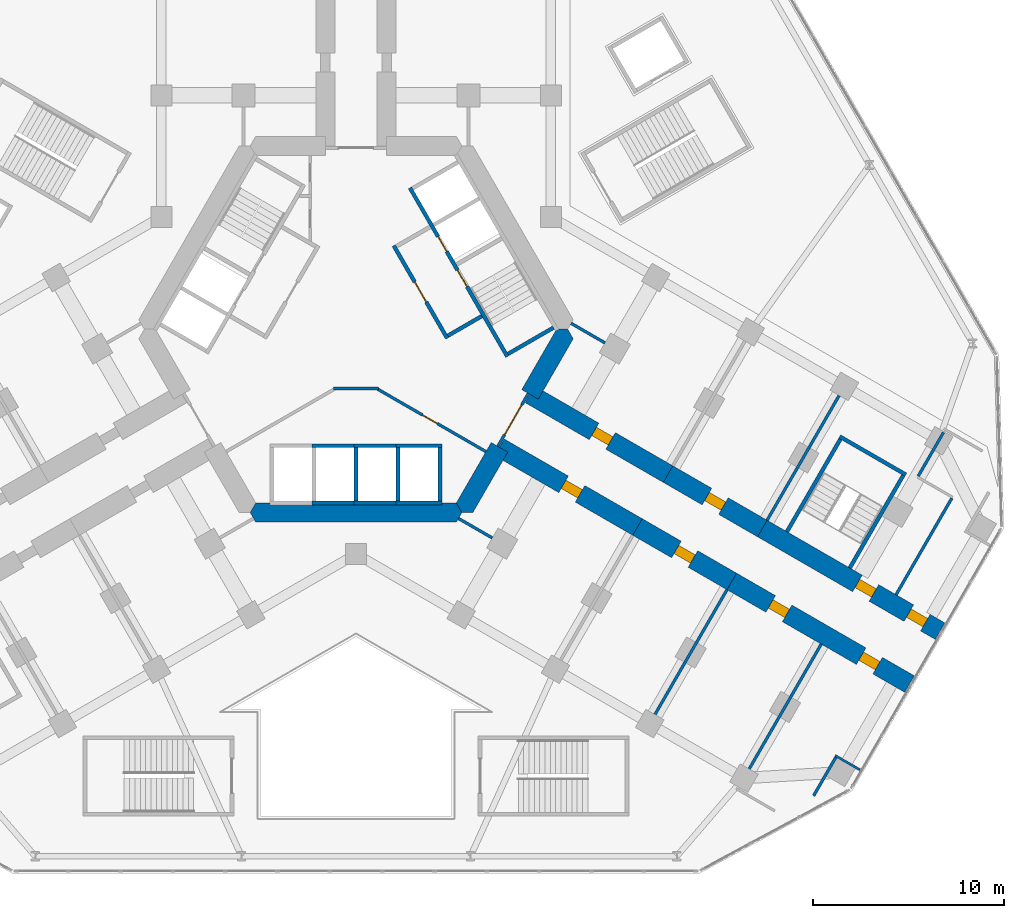
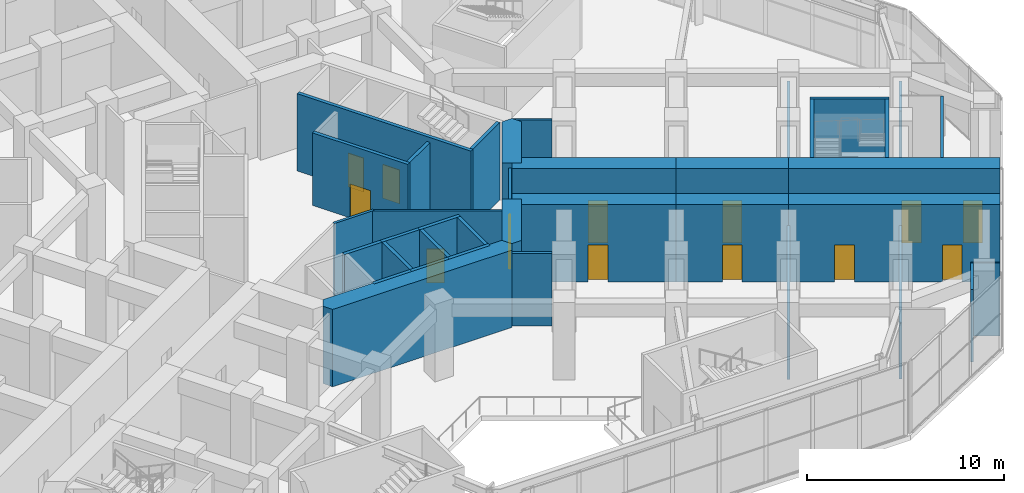
# One storey, part 16 of 21: 37 walls, 13 doors, 13 openings.
"""IFC4 building model written with IfcOpenShell, lengths in metres."""

from ifc_helpers import new_model, si_unit, direction, frame, frame_2d, origin, place, context, subcontext, project, spatial, polyline, rectangle, outline, extrude, material, layer, layer_set, type_object, element, fill, save


model = new_model("IFC4")

# Units and contexts
model_context = context("Model", 3, precision=1e-05, world=origin(), true_north=direction((0.0, 1.0)))
body_context = subcontext(model_context, "Body", "Model", "MODEL_VIEW")
ifc_project = project(units=[si_unit("LENGTHUNIT", "METRE"), si_unit("AREAUNIT", "SQUARE_METRE"), si_unit("VOLUMEUNIT", "CUBIC_METRE"), si_unit("PLANEANGLEUNIT", "RADIAN"), si_unit("MASSUNIT", "GRAM", prefix="KILO")], contexts=[model_context])

# Site, building, storey
site_placement = place(None, origin())
site = spatial("IfcSite", under=ifc_project, at=site_placement, CompositionType="ELEMENT")
building_placement = place(site_placement, origin())
building = spatial("IfcBuilding", under=site, at=building_placement, Name="Kosmar Iwan School Tower", CompositionType="ELEMENT")
storey_placement = place(building_placement, frame((0.0, 0.0, 6.0)))
storey = spatial("IfcBuildingStorey", under=building, at=storey_placement, Name="L01", CompositionType="ELEMENT", Elevation=6.0)

# Wall
ifc_material_1 = material(Name="Gypsum board on steel studs, fire-rated", Category="steel")
ifc_layer_1 = layer(ifc_material_1, 0.14990234375)
ifc_layer_set_1 = layer_set([ifc_layer_1], Name="Core room partition 150")
wall_type_1 = type_object("IfcWallType", Name="Core room partition 150", PredefinedType="PARTITIONING", material=ifc_layer_set_1)
wall_1_placement = place(storey_placement, frame((-1.16748046875, -3.113525390625, 0.0), z_axis=(0.0, 0.0, 1.0), x_axis=(1.0, 0.0, 0.0)))
element("IfcWall", 1, at=wall_1_placement, inside=storey, type_object=wall_type_1, Name="Core room partition L01-CW5", PredefinedType="PARTITIONING", context=body_context, shape_type="SweptSolid", body=[
    extrude(rectangle(XDim=2.3349609375, YDim=0.14990234375, at=frame_2d((1.16748046875, 0.0))), origin(), (0.0, 0.0, 1.0), 4.5),
])

# Wall, opening, door
wall_2_placement = place(storey_placement, frame((1.027587890625, -3.075927734375, 0.0), z_axis=(0.0, 0.0, 1.0), x_axis=(0.866030697632, -0.499990830675, 0.0)))
wall_2 = element("IfcWall", 2, at=wall_2_placement, inside=storey, type_object=wall_type_1, Name="Core room partition L01-CW6", PredefinedType="PARTITIONING", context=body_context, shape_type="SweptSolid", body=[
    extrude(rectangle(XDim=6.667236328125, YDim=0.14990234375, at=frame_2d((3.33349609375, 0.0))), origin(), (0.0, 0.0, 1.0), 4.5),
])
opening_1_placement = place(wall_2_placement, frame((2.843994140625, 0.0, 0.0)))
opening_1 = element("IfcOpeningElement", 3, at=opening_1_placement, cuts=wall_2, Name="Opening D14", PredefinedType="OPENING", context=body_context, shape_type="SweptSolid", body=[
    extrude(rectangle(XDim=0.89990234375, YDim=2.10009765625, at=frame_2d((0.449951171875, 1.050048828125))), frame((0.0, 0.0869140625, 0.0), z_axis=(0.0, -1.0, 0.0), x_axis=(1.0, 0.0, 0.0)), (0.0, 0.0, 1.0), 0.173828125),
])
ifc_material_2 = material(Name="Timber fire door in steel frame", Category="steel")
door_type_1 = type_object("IfcDoorType", Name="Core room door 900x2100", OperationType="SINGLE_SWING_LEFT", PredefinedType="DOOR", material=ifc_material_2)
door_1_placement = place(opening_1_placement, origin())
door_1 = element("IfcDoor", 4, at=door_1_placement, inside=storey, type_object=door_type_1, Name="School store door L01 3", OperationType="SINGLE_SWING_LEFT", OverallHeight=2.10009765625, OverallWidth=0.89990234375, PredefinedType="DOOR", context=body_context, shape_type="SweptSolid", body=[
    extrude(rectangle(XDim=0.89990234375, YDim=2.10009765625, at=frame_2d((0.449951171875, 1.050048828125))), frame((0.0, 0.02490234375, 0.0), z_axis=(0.0, -1.0, 0.0), x_axis=(1.0, 0.0, 0.0)), (0.0, 0.0, 1.0), 0.050048828125),
])
fill(opening_1, door_1)

# Walls
ifc_material_3 = material(Name="Concrete C50/60", Category="concrete")
ifc_layer_2 = layer(ifc_material_3, 1.0)
ifc_layer_set_2 = layer_set([ifc_layer_2], Name="Core wall 1000")
wall_type_2 = type_object("IfcWallType", Name="Core wall 1000", PredefinedType="SHEAR", material=ifc_layer_set_2)
wall_3_placement = place(storey_placement, origin())
element("IfcWall", 5, at=wall_3_placement, inside=storey, type_object=wall_type_2, Name="Core wall F270", PredefinedType="SHEAR", context=body_context, shape_type="SweptSolid", body=[
    extrude(outline(polyline([(-5.25390625, -10.10009765625), (5.25390625, -10.10009765625), (5.54248046875, -9.60009765625), (5.25390625, -9.10009765625), (-5.25390625, -9.10009765625), (-5.54248046875, -9.60009765625), (-5.25390625, -10.10009765625)])), origin(), (0.0, 0.0, 1.0), 4.800048828125),
])
wall_4_placement = place(storey_placement, origin())
element("IfcWall", 6, at=wall_4_placement, inside=storey, type_object=wall_type_2, Name="Core wall F330a", PredefinedType="SHEAR", context=body_context, shape_type="SweptSolid", body=[
    extrude(outline(polyline([(5.54248046875, -9.60009765625), (6.119873046875, -9.60009765625), (7.94677734375, -6.435546875), (7.080810546875, -5.935546875), (5.25390625, -9.10009765625), (5.54248046875, -9.60009765625)])), origin(), (0.0, 0.0, 1.0), 4.800048828125),
])
wall_5_placement = place(storey_placement, origin())
element("IfcWall", 7, at=wall_5_placement, inside=storey, type_object=wall_type_2, Name="Core wall F330b", PredefinedType="SHEAR", context=body_context, shape_type="SweptSolid", body=[
    extrude(outline(polyline([(9.546875, -3.664306640625), (11.373779296875, -0.5), (11.085205078125, 0.0), (10.5078125, 0.0), (8.680908203125, -3.164306640625), (9.546875, -3.664306640625)])), origin(), (0.0, 0.0, 1.0), 4.800048828125),
])

# Wall, opening, door
ifc_material_4 = material(Name="Concrete C50/60", Category="concrete")
ifc_layer_3 = layer(ifc_material_4, 1.0)
ifc_layer_set_3 = layer_set([ifc_layer_3], Name="Corridor buttress wall 1000")
wall_type_3 = type_object("IfcWallType", Name="Corridor buttress wall 1000", PredefinedType="SHEAR", material=ifc_layer_set_3)
wall_6_placement = place(storey_placement, frame((9.11376953125, -3.414306640625, 0.0), z_axis=(0.0, 0.0, 1.0), x_axis=(0.866026859388, -0.499997478812, 0.0)))
wall_6 = element("IfcWall", 8, at=wall_6_placement, inside=storey, type_object=wall_type_3, Name="Corridor wall CL", PredefinedType="SHEAR", context=body_context, shape_type="SweptSolid", body=[
    extrude(rectangle(XDim=8.35009765625, YDim=1.0, at=frame_2d((4.175048828125, 0.0))), origin(), (0.0, 0.0, 1.0), 4.800048828125),
])
opening_2_placement = place(wall_6_placement, frame((3.875, 0.0, 0.0)))
opening_2 = element("IfcOpeningElement", 9, at=opening_2_placement, cuts=wall_6, Name="Opening D4", PredefinedType="OPENING", context=body_context, shape_type="SweptSolid", body=[
    extrude(rectangle(XDim=1.0, YDim=2.300048828125, at=frame_2d((0.5, 1.14990234375))), frame((0.0, 0.511962890625, 0.0), z_axis=(0.0, -1.0, 0.0), x_axis=(1.0, 0.0, 0.0)), (0.0, 0.0, 1.0), 1.02392578125),
])
ifc_material_5 = material(Name="Timber fire door with vision panel", Category="wood")
door_type_2 = type_object("IfcDoorType", Name="Classroom door 1000x2300", OperationType="SINGLE_SWING_LEFT", PredefinedType="DOOR", material=ifc_material_5)
door_2_placement = place(opening_2_placement, origin())
door_2 = element("IfcDoor", 10, at=door_2_placement, inside=storey, type_object=door_type_2, Name="Kindergarten group room CL1 door L01-CL1", OperationType="SINGLE_SWING_RIGHT", OverallHeight=2.300048828125, OverallWidth=1.0, PredefinedType="DOOR", context=body_context, shape_type="SweptSolid", body=[
    extrude(rectangle(XDim=1.0, YDim=2.300048828125, at=frame_2d((0.5, 1.14990234375))), frame((0.0, 0.25, 0.0), z_axis=(0.0, -1.0, 0.0), x_axis=(1.0, 0.0, 0.0)), (0.0, 0.0, 1.0), 0.5),
])
fill(opening_2, door_2)

wall_7_placement = place(storey_placement, frame((16.34521484375, -7.58935546875, 0.0), z_axis=(0.0, 0.0, 1.0), x_axis=(0.866015111908, -0.50001782563, 0.0)))
wall_7 = element("IfcWall", 11, at=wall_7_placement, inside=storey, type_object=wall_type_3, Name="Corridor wall CL bay 2", PredefinedType="SHEAR", context=body_context, shape_type="SweptSolid", body=[
    extrude(rectangle(XDim=5.699951171875, YDim=1.0, at=frame_2d((2.85009765625, 0.0))), origin(), (0.0, 0.0, 1.0), 4.800048828125),
])
opening_3_placement = place(wall_7_placement, frame((2.35009765625, 0.0, 0.0)))
opening_3 = element("IfcOpeningElement", 12, at=opening_3_placement, cuts=wall_7, Name="Opening D4", PredefinedType="OPENING", context=body_context, shape_type="SweptSolid", body=[
    extrude(rectangle(XDim=1.0, YDim=2.300048828125, at=frame_2d((0.5, 1.14990234375))), frame((0.0, 0.511962890625, 0.0), z_axis=(0.0, -1.0, 0.0), x_axis=(1.0, 0.0, 0.0)), (0.0, 0.0, 1.0), 1.02392578125),
])
door_3_placement = place(opening_3_placement, origin())
door_3 = element("IfcDoor", 13, at=door_3_placement, inside=storey, type_object=door_type_2, Name="Kindergarten group room CL2 door L01-CL2", OperationType="SINGLE_SWING_LEFT", OverallHeight=2.300048828125, OverallWidth=1.0, PredefinedType="DOOR", context=body_context, shape_type="SweptSolid", body=[
    extrude(rectangle(XDim=1.0, YDim=2.300048828125, at=frame_2d((0.5, 1.14990234375))), frame((0.0, 0.25, 0.0), z_axis=(0.0, -1.0, 0.0), x_axis=(1.0, 0.0, 0.0)), (0.0, 0.0, 1.0), 0.5),
])
fill(opening_3, door_3)

# Wall, openings, doors
wall_8_placement = place(storey_placement, frame((21.281494140625, -10.439453125, 0.0), z_axis=(0.0, 0.0, 1.0), x_axis=(0.866032345022, -0.499987977232, 0.0)))
wall_8 = element("IfcWall", 14, at=wall_8_placement, inside=storey, type_object=wall_type_3, Name="Corridor wall CL bay 3", PredefinedType="SHEAR", context=body_context, shape_type="SweptSolid", body=[
    extrude(rectangle(XDim=10.744873046875, YDim=1.0, at=frame_2d((5.37255859375, 0.0))), origin(), (0.0, 0.0, 1.0), 4.800048828125),
])
opening_4_placement = place(wall_8_placement, frame((5.75, 0.0, 0.0)))
opening_4 = element("IfcOpeningElement", 15, at=opening_4_placement, cuts=wall_8, Name="Opening D4", PredefinedType="OPENING", context=body_context, shape_type="SweptSolid", body=[
    extrude(rectangle(XDim=1.0, YDim=2.300048828125, at=frame_2d((0.5, 1.14990234375))), frame((0.0, 0.511962890625, 0.0), z_axis=(0.0, -1.0, 0.0), x_axis=(1.0, 0.0, 0.0)), (0.0, 0.0, 1.0), 1.02392578125),
])
opening_5_placement = place(wall_8_placement, frame((8.860107421875, 0.0, 0.0)))
opening_5 = element("IfcOpeningElement", 16, at=opening_5_placement, cuts=wall_8, Name="Opening D4", PredefinedType="OPENING", context=body_context, shape_type="SweptSolid", body=[
    extrude(rectangle(XDim=1.0, YDim=2.300048828125, at=frame_2d((0.5, 1.14990234375))), frame((0.0, 0.511962890625, 0.0), z_axis=(0.0, -1.0, 0.0), x_axis=(1.0, 0.0, 0.0)), (0.0, 0.0, 1.0), 1.02392578125),
])
door_4_placement = place(opening_4_placement, origin())
door_4 = element("IfcDoor", 17, at=door_4_placement, inside=storey, type_object=door_type_2, Name="Kindergarten group room CL3 door L01-CL3", OperationType="SINGLE_SWING_LEFT", OverallHeight=2.300048828125, OverallWidth=1.0, PredefinedType="DOOR", context=body_context, shape_type="SweptSolid", body=[
    extrude(rectangle(XDim=1.0, YDim=2.300048828125, at=frame_2d((0.5, 1.14990234375))), frame((0.0, 0.25, 0.0), z_axis=(0.0, -1.0, 0.0), x_axis=(1.0, 0.0, 0.0)), (0.0, 0.0, 1.0), 0.5),
])
fill(opening_4, door_4)
door_5_placement = place(opening_5_placement, origin())
door_5 = element("IfcDoor", 18, at=door_5_placement, inside=storey, type_object=door_type_2, Name="Toilets door L01-CL4", OperationType="SINGLE_SWING_RIGHT", OverallHeight=2.300048828125, OverallWidth=1.0, PredefinedType="DOOR", context=body_context, shape_type="SweptSolid", body=[
    extrude(rectangle(XDim=1.0, YDim=2.300048828125, at=frame_2d((0.5, 1.14990234375))), frame((0.0, 0.25, 0.0), z_axis=(0.0, -1.0, 0.0), x_axis=(1.0, 0.0, 0.0)), (0.0, 0.0, 1.0), 0.5),
])
fill(opening_5, door_5)

# Wall, opening, door
wall_9_placement = place(storey_placement, frame((7.513916015625, -6.185546875, 0.0), z_axis=(0.0, 0.0, 1.0), x_axis=(0.866019549707, -0.500010139422, 0.0)))
wall_9 = element("IfcWall", 19, at=wall_9_placement, inside=storey, type_object=wall_type_3, Name="Corridor wall CR", PredefinedType="SHEAR", context=body_context, shape_type="SweptSolid", body=[
    extrude(rectangle(XDim=8.349853515625, YDim=1.0, at=frame_2d((4.1748046875, 0.0))), origin(), (0.0, 0.0, 1.0), 4.800048828125),
])
opening_6_placement = place(wall_9_placement, frame((3.875, 0.0, 0.0)))
opening_6 = element("IfcOpeningElement", 20, at=opening_6_placement, cuts=wall_9, Name="Opening D4", PredefinedType="OPENING", context=body_context, shape_type="SweptSolid", body=[
    extrude(rectangle(XDim=1.0, YDim=2.300048828125, at=frame_2d((0.5, 1.14990234375))), frame((0.0, 0.511962890625, 0.0), z_axis=(0.0, -1.0, 0.0), x_axis=(1.0, 0.0, 0.0)), (0.0, 0.0, 1.0), 1.02392578125),
])
door_6_placement = place(opening_6_placement, origin())
door_6 = element("IfcDoor", 21, at=door_6_placement, inside=storey, type_object=door_type_2, Name="Kindergarten group room CR1 door L01-CR1", OperationType="SINGLE_SWING_RIGHT", OverallHeight=2.300048828125, OverallWidth=1.0, PredefinedType="DOOR", context=body_context, shape_type="SweptSolid", body=[
    extrude(rectangle(XDim=1.0, YDim=2.300048828125, at=frame_2d((0.5, 1.14990234375))), frame((0.0, 0.25, 0.0), z_axis=(0.0, -1.0, 0.0), x_axis=(1.0, 0.0, 0.0)), (0.0, 0.0, 1.0), 0.5),
])
fill(opening_6, door_6)

wall_10_placement = place(storey_placement, frame((14.7451171875, -10.360595703125, 0.0), z_axis=(0.0, 0.0, 1.0), x_axis=(0.866015111908, -0.50001782563, 0.0)))
wall_10 = element("IfcWall", 22, at=wall_10_placement, inside=storey, type_object=wall_type_3, Name="Corridor wall CR bay 2", PredefinedType="SHEAR", context=body_context, shape_type="SweptSolid", body=[
    extrude(rectangle(XDim=5.699951171875, YDim=1.0, at=frame_2d((2.85009765625, 0.0))), origin(), (0.0, 0.0, 1.0), 4.800048828125),
])
opening_7_placement = place(wall_10_placement, frame((2.35009765625, 0.0, 0.0)))
opening_7 = element("IfcOpeningElement", 23, at=opening_7_placement, cuts=wall_10, Name="Opening D4", PredefinedType="OPENING", context=body_context, shape_type="SweptSolid", body=[
    extrude(rectangle(XDim=1.0, YDim=2.300048828125, at=frame_2d((0.5, 1.14990234375))), frame((0.0, 0.511962890625, 0.0), z_axis=(0.0, -1.0, 0.0), x_axis=(1.0, 0.0, 0.0)), (0.0, 0.0, 1.0), 1.02392578125),
])
door_7_placement = place(opening_7_placement, origin())
door_7 = element("IfcDoor", 24, at=door_7_placement, inside=storey, type_object=door_type_2, Name="Kindergarten group room CR2 door L01-CR2", OperationType="SINGLE_SWING_RIGHT", OverallHeight=2.300048828125, OverallWidth=1.0, PredefinedType="DOOR", context=body_context, shape_type="SweptSolid", body=[
    extrude(rectangle(XDim=1.0, YDim=2.300048828125, at=frame_2d((0.5, 1.14990234375))), frame((0.0, 0.25, 0.0), z_axis=(0.0, -1.0, 0.0), x_axis=(1.0, 0.0, 0.0)), (0.0, 0.0, 1.0), 0.5),
])
fill(opening_7, door_7)

# Wall, openings, doors
wall_11_placement = place(storey_placement, frame((19.681396484375, -13.210693359375, 0.0), z_axis=(0.0, 0.0, 1.0), x_axis=(0.866028186671, -0.499995179869, 0.0)))
wall_11 = element("IfcWall", 25, at=wall_11_placement, inside=storey, type_object=wall_type_3, Name="Corridor wall CR bay 3", PredefinedType="SHEAR", context=body_context, shape_type="SweptSolid", body=[
    extrude(rectangle(XDim=10.7451171875, YDim=1.0, at=frame_2d((5.37255859375, 0.0))), origin(), (0.0, 0.0, 1.0), 4.800048828125),
])
opening_8_placement = place(wall_11_placement, frame((2.35009765625, 0.0, 0.0)))
opening_8 = element("IfcOpeningElement", 26, at=opening_8_placement, cuts=wall_11, Name="Opening D4", PredefinedType="OPENING", context=body_context, shape_type="SweptSolid", body=[
    extrude(rectangle(XDim=1.0, YDim=2.300048828125, at=frame_2d((0.5, 1.14990234375))), frame((0.0, 0.511962890625, 0.0), z_axis=(0.0, -1.0, 0.0), x_axis=(1.0, 0.0, 0.0)), (0.0, 0.0, 1.0), 1.02392578125),
])
opening_9_placement = place(wall_11_placement, frame((7.824951171875, 0.0, 0.0)))
opening_9 = element("IfcOpeningElement", 27, at=opening_9_placement, cuts=wall_11, Name="Opening D4", PredefinedType="OPENING", context=body_context, shape_type="SweptSolid", body=[
    extrude(rectangle(XDim=1.0, YDim=2.300048828125, at=frame_2d((0.5, 1.14990234375))), frame((0.0, 0.511962890625, 0.0), z_axis=(0.0, -1.0, 0.0), x_axis=(1.0, 0.0, 0.0)), (0.0, 0.0, 1.0), 1.02392578125),
])
door_8_placement = place(opening_8_placement, origin())
door_8 = element("IfcDoor", 28, at=door_8_placement, inside=storey, type_object=door_type_2, Name="Kindergarten group room CR3 door L01-CR3", OperationType="SINGLE_SWING_LEFT", OverallHeight=2.300048828125, OverallWidth=1.0, PredefinedType="DOOR", context=body_context, shape_type="SweptSolid", body=[
    extrude(rectangle(XDim=1.0, YDim=2.300048828125, at=frame_2d((0.5, 1.14990234375))), frame((0.0, 0.25, 0.0), z_axis=(0.0, -1.0, 0.0), x_axis=(1.0, 0.0, 0.0)), (0.0, 0.0, 1.0), 0.5),
])
fill(opening_8, door_8)
door_9_placement = place(opening_9_placement, origin())
door_9 = element("IfcDoor", 29, at=door_9_placement, inside=storey, type_object=door_type_2, Name="Toilets door L01-CR4", OperationType="SINGLE_SWING_RIGHT", OverallHeight=2.300048828125, OverallWidth=1.0, PredefinedType="DOOR", context=body_context, shape_type="SweptSolid", body=[
    extrude(rectangle(XDim=1.0, YDim=2.300048828125, at=frame_2d((0.5, 1.14990234375))), frame((0.0, 0.25, 0.0), z_axis=(0.0, -1.0, 0.0), x_axis=(1.0, 0.0, 0.0)), (0.0, 0.0, 1.0), 0.5),
])
fill(opening_9, door_9)

# Wall, opening, door
ifc_material_6 = material(Name="Steel framed glazed screen", Category="steel")
ifc_layer_4 = layer(ifc_material_6, 0.14990234375)
ifc_layer_set_4 = layer_set([ifc_layer_4], Name="Corridor screen wall 150")
wall_type_4 = type_object("IfcWallType", Name="Corridor screen wall 150", PredefinedType="PARTITIONING", material=ifc_layer_set_4)
wall_12_placement = place(storey_placement, frame((7.42724609375, -6.1357421875, 0.0), z_axis=(0.0, 0.0, 1.0), x_axis=(0.499995408039, 0.866028054938, 0.0)))
wall_12 = element("IfcWall", 30, at=wall_12_placement, inside=storey, type_object=wall_type_4, Name="Corridor screen C L01", PredefinedType="PARTITIONING", context=body_context, shape_type="SweptSolid", body=[
    extrude(rectangle(XDim=3.2001953125, YDim=0.14990234375, at=frame_2d((1.60009765625, 0.0))), origin(), (0.0, 0.0, 1.0), 4.5),
])
opening_10_placement = place(wall_12_placement, frame((0.699951171875, 0.0, 0.0)))
opening_10 = element("IfcOpeningElement", 31, at=opening_10_placement, cuts=wall_12, Name="Opening D9", PredefinedType="OPENING", context=body_context, shape_type="SweptSolid", body=[
    extrude(rectangle(XDim=1.800048828125, YDim=2.10009765625, at=frame_2d((0.89990234375, 1.050048828125))), frame((0.0, 0.0869140625, 0.0), z_axis=(0.0, -1.0, 0.0), x_axis=(1.0, 0.0, 0.0)), (0.0, 0.0, 1.0), 0.173828125),
])
ifc_material_7 = material(Name="Steel framed glazed smoke door", Category="steel")
door_type_3 = type_object("IfcDoorType", Name="Corridor smoke door pair 1800x2100", OperationType="DOUBLE_DOOR_DOUBLE_SWING", PredefinedType="DOOR", material=ifc_material_7)
door_10_placement = place(opening_10_placement, origin())
door_10 = element("IfcDoor", 32, at=door_10_placement, inside=storey, type_object=door_type_3, Name="Corridor doors C L01", OperationType="DOUBLE_DOOR_DOUBLE_SWING", OverallHeight=2.10009765625, OverallWidth=1.800048828125, PredefinedType="DOOR", context=body_context, shape_type="SweptSolid", body=[
    extrude(rectangle(XDim=1.800048828125, YDim=2.10009765625, at=frame_2d((0.89990234375, 1.050048828125))), frame((0.0, 0.02490234375, 0.0), z_axis=(0.0, -1.0, 0.0), x_axis=(1.0, 0.0, 0.0)), (0.0, 0.0, 1.0), 0.050048828125),
])
fill(opening_10, door_10)

# Walls
ifc_material_8 = material(Name="Gypsum board on steel studs", Category="steel")
ifc_layer_5 = layer(ifc_material_8, 0.1201171875)
ifc_layer_set_5 = layer_set([ifc_layer_5], Name="Dwelling partition 120")
wall_type_5 = type_object("IfcWallType", Name="Dwelling partition 120", PredefinedType="PARTITIONING", material=ifc_layer_set_5)
wall_13_placement = place(storey_placement, frame((25.09716796875, -22.330322265625, 0.0), z_axis=(0.0, 0.0, 1.0), x_axis=(0.866003374288, -0.500038154266, 0.0)))
element("IfcWall", 33, at=wall_13_placement, inside=storey, type_object=wall_type_5, Name="Partition L01-CR-DL", PredefinedType="PARTITIONING", context=body_context, shape_type="SweptSolid", body=[
    extrude(rectangle(XDim=1.4951171875, YDim=0.1201171875, at=frame_2d((0.74755859375, 0.0))), origin(), (0.0, 0.0, 1.0), 4.5),
])
ifc_material_9 = material(Name="Concrete C35/45", Category="concrete")
ifc_layer_6 = layer(ifc_material_9, 0.199951171875)
ifc_layer_set_6 = layer_set([ifc_layer_6], Name="Escape stair wall 200")
wall_type_6 = type_object("IfcWallType", Name="Escape stair wall 200", PredefinedType="SHEAR", material=ifc_layer_set_6)
for number, where, z_axis, x_axis, name in (
    (34, (22.57080078125, -10.6064453125, 0.0), (0.0, 0.0, 1.0), (0.499987231761, 0.866032775405, 0.0), "Stair WS3 wall"),
    (35, (25.861572265625, -12.50634765625, 0.0), (0.0, 0.0, 1.0), (0.500018801468, 0.86601454848, 0.0), "Stair WS3 wall"),
):
    element("IfcWall", number, at=place(storey_placement, frame(where, z_axis=z_axis, x_axis=x_axis)), inside=storey, type_object=wall_type_6, Name=name, PredefinedType="SHEAR", context=body_context, shape_type="SweptSolid", body=[
        extrude(rectangle(XDim=5.800048828125, YDim=0.199951171875, at=frame_2d((2.89990234375, 0.0))), origin(), (0.0, 0.0, 1.0), 4.47998046875),
    ])
wall_14_placement = place(storey_placement, frame((25.334228515625, -5.6201171875, 0.0), z_axis=(0.0, 0.0, 1.0), x_axis=(0.866026010844, -0.49999894854, 0.0)))
element("IfcWall", 36, at=wall_14_placement, inside=storey, type_object=wall_type_6, Name="Stair WS3 wall", PredefinedType="SHEAR", context=body_context, shape_type="SweptSolid", body=[
    extrude(rectangle(XDim=4.0, YDim=0.199951171875, at=frame_2d((2.0, 0.0))), origin(), (0.0, 0.0, 1.0), 4.47998046875),
])

# Wall, opening, door
ifc_material_10 = material(Name="Concrete block masonry", Category="masonry")
ifc_layer_7 = layer(ifc_material_10, 0.199951171875)
ifc_layer_set_7 = layer_set([ifc_layer_7], Name="Fire lobby wall 200")
wall_type_7 = type_object("IfcWallType", Name="Fire lobby wall 200", PredefinedType="PARTITIONING", material=ifc_layer_set_7)
wall_15_placement = place(storey_placement, frame((4.777587890625, -0.474853515625, 0.0), z_axis=(0.0, 0.0, 1.0), x_axis=(-0.500016814911, 0.866015695474, 0.0)))
wall_15 = element("IfcWall", 37, at=wall_15_placement, inside=storey, type_object=wall_type_7, Name="Firefighting lobby wall ST1", PredefinedType="PARTITIONING", context=body_context, shape_type="SweptSolid", body=[
    extrude(rectangle(XDim=5.599853515625, YDim=0.199951171875, at=frame_2d((2.7998046875, 0.0))), origin(), (0.0, 0.0, 1.0), 4.5),
])
opening_11_placement = place(wall_15_placement, frame((2.199951171875, 0.0, 0.0)))
opening_11 = element("IfcOpeningElement", 38, at=opening_11_placement, cuts=wall_15, Name="Opening D7", PredefinedType="OPENING", context=body_context, shape_type="SweptSolid", body=[
    extrude(rectangle(XDim=1.199951171875, YDim=2.10009765625, at=frame_2d((0.60009765625, 1.050048828125))), frame((0.0, 0.112060546875, 0.0), z_axis=(0.0, -1.0, 0.0), x_axis=(1.0, 0.0, 0.0)), (0.0, 0.0, 1.0), 0.223876953125),
])
ifc_material_11 = material(Name="Steel fire door", Category="steel")
door_type_4 = type_object("IfcDoorType", Name="Fire lobby door 1200x2100", OperationType="SINGLE_SWING_LEFT", PredefinedType="DOOR", material=ifc_material_11)
door_11_placement = place(opening_11_placement, origin())
door_11 = element("IfcDoor", 39, at=door_11_placement, inside=storey, type_object=door_type_4, Name="Firefighting lobby door ST1 L01", OperationType="SINGLE_SWING_LEFT", OverallHeight=2.10009765625, OverallWidth=1.199951171875, PredefinedType="DOOR", context=body_context, shape_type="SweptSolid", body=[
    extrude(rectangle(XDim=1.199951171875, YDim=2.10009765625, at=frame_2d((0.60009765625, 1.050048828125))), frame((0.0, 0.02490234375, 0.0), z_axis=(0.0, -1.0, 0.0), x_axis=(1.0, 0.0, 0.0)), (0.0, 0.0, 1.0), 0.050048828125),
])
fill(opening_11, door_11)

# Wall
wall_16_placement = place(storey_placement, frame((4.814208984375, -0.33837890625, 0.0), z_axis=(0.0, 0.0, 1.0), x_axis=(0.865969381856, 0.500097020274, 0.0)))
element("IfcWall", 40, at=wall_16_placement, inside=storey, type_object=wall_type_7, Name="Firefighting lobby wall ST1", PredefinedType="PARTITIONING", context=body_context, shape_type="SweptSolid", body=[
    extrude(rectangle(XDim=2.0498046875, YDim=0.199951171875, at=frame_2d((1.02490234375, 0.0))), origin(), (0.0, 0.0, 1.0), 4.5),
])

# Wall, openings, doors
ifc_material_12 = material(Name="Concrete C50/60", Category="concrete")
ifc_layer_8 = layer(ifc_material_12, 0.199951171875)
ifc_layer_set_8 = layer_set([ifc_layer_8], Name="Lift shaft wall 200")
wall_type_8 = type_object("IfcWallType", Name="Lift shaft wall 200", PredefinedType="SHEAR", material=ifc_layer_set_8)
wall_17_placement = place(storey_placement, frame((7.926025390625, -1.42822265625, 0.0), z_axis=(0.0, 0.0, 1.0), x_axis=(-0.499998023675, 0.866026544813, 0.0)))
wall_17 = element("IfcWall", 41, at=wall_17_placement, inside=storey, type_object=wall_type_8, Name="Lift and stair front wall AC", PredefinedType="SHEAR", context=body_context, shape_type="SweptSolid", body=[
    extrude(rectangle(XDim=10.19970703125, YDim=0.199951171875, at=frame_2d((5.099853515625, 0.0))), origin(), (0.0, 0.0, 1.0), 4.800048828125),
])
opening_12_placement = place(wall_17_placement, frame((6.35009765625, 0.0, 0.0)))
opening_12 = element("IfcOpeningElement", 42, at=opening_12_placement, cuts=wall_17, Name="Opening LD2", PredefinedType="OPENING", context=body_context, shape_type="SweptSolid", body=[
    extrude(rectangle(XDim=0.89990234375, YDim=2.10009765625, at=frame_2d((0.449951171875, 1.050048828125))), frame((0.0, 0.112060546875, 0.0), z_axis=(0.0, -1.0, 0.0), x_axis=(1.0, 0.0, 0.0)), (0.0, 0.0, 1.0), 0.223876953125),
])
opening_13_placement = place(wall_17_placement, frame((4.22998046875, 0.0, 0.0)))
opening_13 = element("IfcOpeningElement", 43, at=opening_13_placement, cuts=wall_17, Name="Opening D6", PredefinedType="OPENING", context=body_context, shape_type="SweptSolid", body=[
    extrude(rectangle(XDim=1.0, YDim=2.10009765625, at=frame_2d((0.5, 1.050048828125))), frame((0.0, 0.112060546875, 0.0), z_axis=(0.0, -1.0, 0.0), x_axis=(1.0, 0.0, 0.0)), (0.0, 0.0, 1.0), 0.223876953125),
])
ifc_material_13 = material(Name="Stainless steel sliding lift door", Category="steel")
door_type_5 = type_object("IfcDoorType", Name="Firefighting lift landing door 900x2100", OperationType="SLIDING_TO_LEFT", PredefinedType="DOOR", material=ifc_material_13)
door_12_placement = place(opening_12_placement, origin())
door_12 = element("IfcDoor", 44, at=door_12_placement, inside=storey, type_object=door_type_5, Name="Lift FF1 landing door L01", OperationType="SLIDING_TO_LEFT", OverallHeight=2.10009765625, OverallWidth=0.89990234375, PredefinedType="DOOR", context=body_context, shape_type="SweptSolid", body=[
    extrude(rectangle(XDim=0.89990234375, YDim=2.10009765625, at=frame_2d((0.449951171875, 1.050048828125))), frame((0.0, 0.02490234375, 0.0), z_axis=(0.0, -1.0, 0.0), x_axis=(1.0, 0.0, 0.0)), (0.0, 0.0, 1.0), 0.050048828125),
])
fill(opening_12, door_12)
ifc_material_14 = material(Name="Steel fire door", Category="steel")
door_type_6 = type_object("IfcDoorType", Name="Stair door 1000x2100", OperationType="SINGLE_SWING_LEFT", PredefinedType="DOOR", material=ifc_material_14)
door_13_placement = place(opening_13_placement, origin())
door_13 = element("IfcDoor", 45, at=door_13_placement, inside=storey, type_object=door_type_6, Name="Stair ST1 door L01", OperationType="SINGLE_SWING_LEFT", OverallHeight=2.10009765625, OverallWidth=1.0, PredefinedType="DOOR", context=body_context, shape_type="SweptSolid", body=[
    extrude(rectangle(XDim=1.0, YDim=2.10009765625, at=frame_2d((0.5, 1.050048828125))), frame((0.0, 0.02490234375, 0.0), z_axis=(0.0, -1.0, 0.0), x_axis=(1.0, 0.0, 0.0)), (0.0, 0.0, 1.0), 0.050048828125),
])
fill(opening_13, door_13)

# Walls
for number, where, z_axis, x_axis, name in (
    (46, (-2.300048828125, -6.10009765625, 0.0), (0.0, 0.0, 1.0), (1.0, 0.0, 0.0), "Lift and stair front wall BC"),
    (47, (-2.300048828125, -9.10009765625, 0.0), (0.0, 0.0, 1.0), (1.0, 0.0, 0.0), "Lift and stair back wall BC"),
):
    element("IfcWall", number, at=place(storey_placement, frame(where, z_axis=z_axis, x_axis=x_axis)), inside=storey, type_object=wall_type_8, Name=name, PredefinedType="SHEAR", context=body_context, shape_type="SweptSolid", body=[
        extrude(rectangle(XDim=2.199951171875, YDim=0.199951171875, at=frame_2d((1.10009765625, 0.0))), origin(), (0.0, 0.0, 1.0), 4.800048828125),
    ])
for number, where, z_axis, x_axis, name in (
    (48, (-0.10009765625, -6.10009765625, 0.0), (0.0, 0.0, 1.0), (1.0, 0.0, 0.0), "Lift and stair front wall BC"),
    (49, (-0.10009765625, -9.10009765625, 0.0), (0.0, 0.0, 1.0), (1.0, 0.0, 0.0), "Lift and stair back wall BC"),
):
    element("IfcWall", number, at=place(storey_placement, frame(where, z_axis=z_axis, x_axis=x_axis)), inside=storey, type_object=wall_type_8, Name=name, PredefinedType="SHEAR", context=body_context, shape_type="SweptSolid", body=[
        extrude(rectangle(XDim=2.2001953125, YDim=0.199951171875, at=frame_2d((1.10009765625, 0.0))), origin(), (0.0, 0.0, 1.0), 4.800048828125),
    ])
for number, where, z_axis, x_axis, name in (
    (50, (2.10009765625, -6.10009765625, 0.0), (0.0, 0.0, 1.0), (1.0, 0.0, 0.0), "Lift and stair front wall BC"),
    (51, (2.10009765625, -9.10009765625, 0.0), (0.0, 0.0, 1.0), (1.0, 0.0, 0.0), "Lift and stair back wall BC"),
):
    element("IfcWall", number, at=place(storey_placement, frame(where, z_axis=z_axis, x_axis=x_axis)), inside=storey, type_object=wall_type_8, Name=name, PredefinedType="SHEAR", context=body_context, shape_type="SweptSolid", body=[
        extrude(rectangle(XDim=2.39990234375, YDim=0.199951171875, at=frame_2d((1.199951171875, 0.0))), origin(), (0.0, 0.0, 1.0), 4.800048828125),
    ])
for number, where, z_axis, x_axis, name in (
    (52, (0.0, -6.199951171875, 0.0), (0.0, 0.0, 1.0), (0.0, -1.0, 0.0), "Lift shaft wall BC 2"),
    (53, (2.199951171875, -6.199951171875, 0.0), (0.0, 0.0, 1.0), (0.0, -1.0, 0.0), "Lift shaft wall BC 3"),
    (54, (4.39990234375, -6.199951171875, 0.0), (0.0, 0.0, 1.0), (0.0, -1.0, 0.0), "Lift shaft wall BC 4"),
):
    element("IfcWall", number, at=place(storey_placement, frame(where, z_axis=z_axis, x_axis=x_axis)), inside=storey, type_object=wall_type_8, Name=name, PredefinedType="SHEAR", context=body_context, shape_type="SweptSolid", body=[
        extrude(rectangle(XDim=2.800048828125, YDim=0.199951171875, at=frame_2d((1.39990234375, 0.0))), origin(), (0.0, 0.0, 1.0), 4.800048828125),
    ])
ifc_material_15 = material(Name="Gypsum board on steel studs", Category="steel")
ifc_layer_9 = layer(ifc_material_15, 0.14990234375)
ifc_layer_set_9 = layer_set([ifc_layer_9], Name="School partition 150")
wall_type_9 = type_object("IfcWallType", Name="School partition 150", PredefinedType="PARTITIONING", material=ifc_layer_set_9)
wall_18_placement = place(storey_placement, frame((11.263916015625, 0.3095703125, 0.0), z_axis=(0.0, 0.0, 1.0), x_axis=(0.865999163574, -0.500045446624, 0.0)))
element("IfcWall", 55, at=wall_18_placement, inside=storey, type_object=wall_type_9, Name="Partition L01-CL-NB", PredefinedType="PARTITIONING", context=body_context, shape_type="SweptSolid", body=[
    extrude(rectangle(XDim=2.050048828125, YDim=0.14990234375, at=frame_2d((1.02490234375, 0.0))), origin(), (0.0, 0.0, 1.0), 4.5),
])
wall_19_placement = place(storey_placement, frame((21.531494140625, -10.00634765625, 0.0), z_axis=(0.0, 0.0, 1.0), x_axis=(0.500007509209, 0.866021068297, 0.0)))
element("IfcWall", 56, at=wall_19_placement, inside=storey, type_object=wall_type_9, Name="Partition L01-CL-X2", PredefinedType="PARTITIONING", context=body_context, shape_type="SweptSolid", body=[
    extrude(rectangle(XDim=8.599853515625, YDim=0.14990234375, at=frame_2d((4.2998046875, 0.0))), origin(), (0.0, 0.0, 1.0), 3.5),
])
wall_20_placement = place(storey_placement, frame((29.44775390625, -7.69482421875, 0.0), z_axis=(0.0, 0.0, 1.0), x_axis=(0.500007957085, 0.86602080971, 0.0)))
element("IfcWall", 57, at=wall_20_placement, inside=storey, type_object=wall_type_9, Name="Partition L01-CL-X3", PredefinedType="PARTITIONING", context=body_context, shape_type="SweptSolid", body=[
    extrude(rectangle(XDim=2.64013671875, YDim=0.14990234375, at=frame_2d((1.320068359375, 0.0))), origin(), (0.0, 0.0, 1.0), 3.5),
])
wall_21_placement = place(storey_placement, frame((28.286376953125, -13.90625, 0.0), z_axis=(0.0, 0.0, 1.0), x_axis=(0.500019182438, 0.866014328516, 0.0)))
element("IfcWall", 58, at=wall_21_placement, inside=storey, type_object=wall_type_9, Name="Partition L01-CL-X3T", PredefinedType="PARTITIONING", context=body_context, shape_type="SweptSolid", body=[
    extrude(rectangle(XDim=5.840087890625, YDim=0.14990234375, at=frame_2d((2.919921875, 0.0))), origin(), (0.0, 0.0, 1.0), 4.5),
])
wall_22_placement = place(storey_placement, frame((5.36376953125, -9.909423828125, 0.0), z_axis=(0.0, 0.0, 1.0), x_axis=(0.865999163574, -0.500045446624, 0.0)))
element("IfcWall", 59, at=wall_22_placement, inside=storey, type_object=wall_type_9, Name="Partition L01-CR-NB", PredefinedType="PARTITIONING", context=body_context, shape_type="SweptSolid", body=[
    extrude(rectangle(XDim=2.050048828125, YDim=0.14990234375, at=frame_2d((1.02490234375, 0.0))), origin(), (0.0, 0.0, 1.0), 4.5),
])
wall_23_placement = place(storey_placement, frame((25.192138671875, -22.31591796875, 0.0), z_axis=(0.0, 0.0, 1.0), x_axis=(-0.499973122483, -0.86604092097, 0.0)))
element("IfcWall", 60, at=wall_23_placement, inside=storey, type_object=wall_type_9, Name="Partition L01-CR-DC", PredefinedType="PARTITIONING", context=body_context, shape_type="SweptSolid", body=[
    extrude(rectangle(XDim=2.445068359375, YDim=0.14990234375, at=frame_2d((1.22265625, 0.0))), origin(), (0.0, 0.0, 1.0), 4.5),
])
wall_24_placement = place(storey_placement, frame((19.431396484375, -13.6435546875, 0.0), z_axis=(0.0, 0.0, 1.0), x_axis=(-0.499973925258, -0.86604045752, 0.0)))
element("IfcWall", 61, at=wall_24_placement, inside=storey, type_object=wall_type_9, Name="Partition L01-CR-X2", PredefinedType="PARTITIONING", context=body_context, shape_type="SweptSolid", body=[
    extrude(rectangle(XDim=8.60009765625, YDim=0.14990234375, at=frame_2d((4.300048828125, 0.0))), origin(), (0.0, 0.0, 1.0), 3.5),
])
wall_25_placement = place(storey_placement, frame((24.367919921875, -16.49365234375, 0.0), z_axis=(0.0, 0.0, 1.0), x_axis=(-0.500007509209, -0.866021068297, 0.0)))
element("IfcWall", 62, at=wall_25_placement, inside=storey, type_object=wall_type_9, Name="Partition L01-CR-X3", PredefinedType="PARTITIONING", context=body_context, shape_type="SweptSolid", body=[
    extrude(rectangle(XDim=8.599853515625, YDim=0.14990234375, at=frame_2d((4.2998046875, 0.0))), origin(), (0.0, 0.0, 1.0), 3.5),
])
ifc_material_16 = material(Name="Concrete C50/60", Category="concrete")
ifc_layer_10 = layer(ifc_material_16, 0.199951171875)
ifc_layer_set_10 = layer_set([ifc_layer_10], Name="Stair enclosure wall 200")
wall_type_10 = type_object("IfcWallType", Name="Stair enclosure wall 200", PredefinedType="SHEAR", material=ifc_layer_set_10)
wall_26_placement = place(storey_placement, frame((7.962646484375, -1.291748046875, 0.0), z_axis=(0.0, 0.0, 1.0), x_axis=(0.866027397988, 0.499996545922, 0.0)))
element("IfcWall", 63, at=wall_26_placement, inside=storey, type_object=wall_type_10, Name="Stair ST1 wall", PredefinedType="SHEAR", context=body_context, shape_type="SweptSolid", body=[
    extrude(rectangle(XDim=2.75, YDim=0.199951171875, at=frame_2d((1.375, 0.0))), origin(), (0.0, 0.0, 1.0), 4.800048828125),
])

save(model, "model.ifc")
